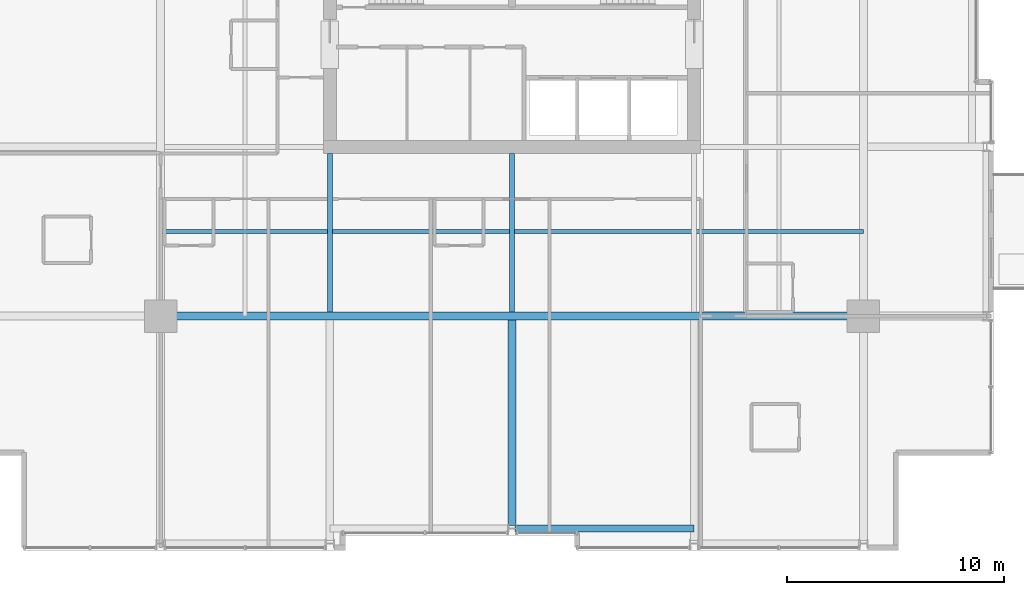
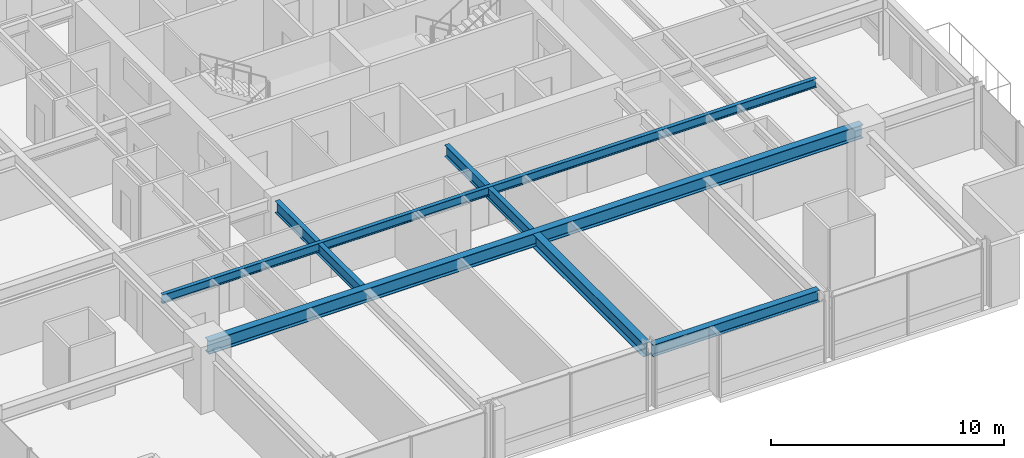
# One storey, part 6 of 33: 6 beams.
"""IFC4 building model written with IfcOpenShell, lengths in metres."""

import ifcopenshell
import ifcopenshell.guid

model = None  # the IFC model being written
_history = None  # IfcOwnerHistory: only IFC2X3 demands one
_inside = {}  # id of a spatial element -> (the spatial element, [elements in it])
_under = {}  # id of a project, library or spatial element -> (it, [spatial elements below it])
_declared = {}  # id of a project -> (the project, [libraries it declares])
_typed = {}  # id of a type object -> (the type object, [elements of that type])
_made_of = {}  # id of a material, layer set ... -> (it, [elements and type objects made of it])


def new_model(schema):
    """Start an empty IFC model of exactly this schema.

    Asked for "IFC4X3", IfcOpenShell would pick the latest addendum, in which some entities
    have other attributes; the version numbers below select the first issue.
    IFC2X3 requires an IfcOwnerHistory on every rooted entity: one is made here for all.
    """
    global model, _history
    if schema == "IFC4X3":
        model = ifcopenshell.file(schema_version=(4, 3, 0, 0))
    else:
        model = ifcopenshell.file(schema=schema)
    _inside.clear()
    _under.clear()
    _declared.clear()
    _typed.clear()
    _made_of.clear()
    _history = None
    if model.schema == "IFC2X3":
        org = make("IfcOrganization", Name="unknown")
        user = make(
            "IfcPersonAndOrganization",
            ThePerson=make("IfcPerson", FamilyName="unknown"),
            TheOrganization=org,
        )
        app = make(
            "IfcApplication",
            ApplicationDeveloper=org,
            Version="unknown",
            ApplicationFullName="unknown",
            ApplicationIdentifier="unknown",
        )
        _history = make(
            "IfcOwnerHistory",
            OwningUser=user,
            OwningApplication=app,
            ChangeAction="ADDED",
            CreationDate=0,
        )
    return model


def make(cls, **values):
    """One entity of the class cls with the attributes given. An attribute that is None is left unset."""
    return model.create_entity(
        cls, **{name: value for name, value in values.items() if value is not None}
    )


def rooted(cls, **values):
    """An entity with a GlobalId (a new one), such as an element, a storey or a relation."""
    return make(cls, GlobalId=ifcopenshell.guid.new(), OwnerHistory=_history, **values)


def si_unit(unit_type, name, prefix=None):
    """IfcSIUnit, for example si_unit("LENGTHUNIT", "METRE", prefix="MILLI")."""
    return make("IfcSIUnit", UnitType=unit_type, Prefix=prefix, Name=name)


def assignment(units):
    """IfcUnitAssignment: the units of a project."""
    return None if units is None else make("IfcUnitAssignment", Units=units)


def point(xyz):
    """IfcCartesianPoint."""
    return None if xyz is None else make("IfcCartesianPoint", Coordinates=xyz)


def direction(xyz):
    """IfcDirection."""
    return None if xyz is None else make("IfcDirection", DirectionRatios=xyz)


def frame(location, z_axis=None, x_axis=None):
    """IfcAxis2Placement3D, a coordinate frame: its origin and axes. An axis left out is left unset."""
    return make(
        "IfcAxis2Placement3D",
        Location=point(location),
        Axis=direction(z_axis),
        RefDirection=direction(x_axis),
    )


def frame_2d(location, x_axis=None):
    """IfcAxis2Placement2D, a coordinate frame in the plane: its origin and x axis."""
    return make(
        "IfcAxis2Placement2D", Location=point(location), RefDirection=direction(x_axis)
    )


def origin():
    """The frame at (0, 0, 0) with its axes left unset."""
    return frame((0.0, 0.0, 0.0))


def origin_2d():
    """The frame at (0, 0) in the plane with its x axis left unset."""
    return frame_2d((0.0, 0.0))


def place(relative_to, where):
    """IfcLocalPlacement: puts the frame where relative to a parent placement (None: the world)."""
    return make(
        "IfcLocalPlacement", PlacementRelTo=relative_to, RelativePlacement=where
    )


def context(
    kind, dimensions, precision=None, world=None, true_north=None, identifier=None
):
    """IfcGeometricRepresentationContext, for example the 3D "Model" context."""
    return make(
        "IfcGeometricRepresentationContext",
        ContextIdentifier=identifier,
        ContextType=kind,
        CoordinateSpaceDimension=dimensions,
        Precision=precision,
        WorldCoordinateSystem=world,
        TrueNorth=true_north,
    )


def subcontext(parent, identifier, kind, view, scale=None):
    """IfcGeometricRepresentationSubContext, for example "Body" below "Model"."""
    return make(
        "IfcGeometricRepresentationSubContext",
        ContextIdentifier=identifier,
        ContextType=kind,
        ParentContext=parent,
        TargetScale=scale,
        TargetView=view,
    )


def project(units=None, contexts=None):
    """IfcProject with its units and contexts."""
    return rooted(
        "IfcProject",
        Name="project",
        RepresentationContexts=contexts,
        UnitsInContext=assignment(units),
    )


def spatial(cls, under=None, at=None, **own):
    """A site, building, storey or space (cls), placed at a placement, below another one or the project."""
    s = rooted(cls, ObjectPlacement=at, **own)
    if under is not None:
        _under.setdefault(under.id(), (under, []))[1].append(s)
    return s


def profile(cls, at=None, kind="AREA", **sizes):
    """A parametric profile (cls). Its sizes go by their IFC names, for example OverallWidth=200.0."""
    return make(cls, ProfileType=kind, Position=at, **sizes)


def i_section(**sizes):
    """IfcIShapeProfileDef."""
    return profile("IfcIShapeProfileDef", **sizes)


def extrude(swept, where, along, depth):
    """IfcExtrudedAreaSolid: the profile swept, set in the frame where, extruded along a direction by depth."""
    return make(
        "IfcExtrudedAreaSolid",
        SweptArea=swept,
        Position=where,
        ExtrudedDirection=direction(along),
        Depth=depth,
    )


def shape(context_of_items, identifier, shape_type, items):
    """IfcShapeRepresentation: the items that make up one representation, for example the "Body"."""
    return make(
        "IfcShapeRepresentation",
        ContextOfItems=context_of_items,
        RepresentationIdentifier=identifier,
        RepresentationType=shape_type,
        Items=items,
    )


def material(Name=None, Category=None):
    """IfcMaterial."""
    return make("IfcMaterial", Name=Name, Category=Category)


def material_profile(
    of_material, cross_section, Name=None, Category=None, Priority=None
):
    """IfcMaterialProfile: a cross section and its material."""
    return make(
        "IfcMaterialProfile",
        Name=Name,
        Material=of_material,
        Profile=cross_section,
        Priority=Priority,
        Category=Category,
    )


def profile_set(profiles, Name=None, composite=None):
    """IfcMaterialProfileSet."""
    return make(
        "IfcMaterialProfileSet",
        Name=Name,
        MaterialProfiles=profiles,
        CompositeProfile=composite,
    )


def made_of(thing, what):
    """Note that an element or type object is made of a material, layer set ...; save() writes the relation."""
    if what is not None:
        _made_of.setdefault(what.id(), (what, []))[1].append(thing)
    return thing


def type_object(cls, material=None, **own):
    """A type object (cls), such as IfcWallType, which elements share."""
    return made_of(rooted(cls, **own), material)


def element(
    cls,
    number,
    at=None,
    inside=None,
    cuts=None,
    type_object=None,
    material=None,
    context=None,
    identifier="Body",
    shape_type=None,
    held_by="IfcProductDefinitionShape",
    body=None,
    shapes=None,
    **own,
):
    """One element of the class cls, such as IfcWall. Its Tag is "e" and its number.

    at: its placement. inside: the storey or other place that contains it. cuts: it is an
    opening in that element (IfcRelVoidsElement). A single representation is given by context,
    identifier, shape_type and body (its items); several are given by shapes. held_by: the class
    of the entity that holds the representations. save() writes the other relations.
    """
    e = rooted(cls, Tag="e%d" % number, ObjectPlacement=at, **own)
    if body is not None:
        shapes = [shape(context, identifier, shape_type, body)]
    if shapes is not None:
        e.Representation = make(held_by, Representations=shapes)
    if inside is not None:
        _inside.setdefault(inside.id(), (inside, []))[1].append(e)
    if cuts is not None:
        rooted(
            "IfcRelVoidsElement", RelatingBuildingElement=cuts, RelatedOpeningElement=e
        )
    if type_object is not None:
        _typed.setdefault(type_object.id(), (type_object, []))[1].append(e)
    return made_of(e, material)


def aggregate(whole, parts):
    """IfcRelAggregates: a whole, such as a stair, and the parts it consists of."""
    return rooted("IfcRelAggregates", RelatingObject=whole, RelatedObjects=parts)


def save(model, path):
    """Write the relations noted so far, then the file.

    IfcRelAggregates (storeys below a building ...), IfcRelContainedInSpatialStructure (elements
    in a storey), IfcRelDefinesByType, IfcRelAssociatesMaterial and IfcRelDeclares: one each for
    every whole, place, type object, material and project.
    """
    for whole, parts in _under.values():
        aggregate(whole, parts)
    for where, things in _inside.values():
        rooted(
            "IfcRelContainedInSpatialStructure",
            RelatedElements=things,
            RelatingStructure=where,
        )
    for kind, things in _typed.values():
        rooted("IfcRelDefinesByType", RelatedObjects=things, RelatingType=kind)
    for what, things in _made_of.values():
        rooted("IfcRelAssociatesMaterial", RelatedObjects=things, RelatingMaterial=what)
    for by, libraries in _declared.values():
        rooted("IfcRelDeclares", RelatingContext=by, RelatedDefinitions=libraries)
    model.write(path)


model = new_model("IFC4")

# Units and contexts
model_context = context("Model", 3, precision=1e-05, world=origin(), true_north=direction((0.0, 1.0)))
body_context = subcontext(model_context, "Body", "Model", "MODEL_VIEW")
ifc_project = project(units=[si_unit("LENGTHUNIT", "METRE"), si_unit("AREAUNIT", "SQUARE_METRE"), si_unit("VOLUMEUNIT", "CUBIC_METRE"), si_unit("PLANEANGLEUNIT", "RADIAN"), si_unit("MASSUNIT", "GRAM", prefix="KILO")], contexts=[model_context])

# Site, building, storey
site_placement = place(None, origin())
site = spatial("IfcSite", under=ifc_project, at=site_placement, CompositionType="ELEMENT")
building_placement = place(site_placement, origin())
building = spatial("IfcBuilding", under=site, at=building_placement, Name="Drelvath Grand Hotel", CompositionType="ELEMENT")
storey_placement = place(building_placement, frame((0.0, 0.0, 119.800048828125)))
storey = spatial("IfcBuildingStorey", under=building, at=storey_placement, Name="L30", CompositionType="ELEMENT", Elevation=119.800048828125)

# Beams
ifc_material = material(Name="Steel ASTM A992 Gr 50", Category="steel")
ifc_material_profile_1 = material_profile(ifc_material, i_section(OverallWidth=0.19140625, OverallDepth=0.4599609375, WebThickness=0.010009765625, FlangeThickness=0.01611328125, FilletRadius=0.01611328125, at=origin_2d()), Name="W18X55")
ifc_profile_set_1 = profile_set([ifc_material_profile_1], Name="Steel ASTM A992 Gr 50")
beam_type_1 = type_object("IfcBeamType", Name="Composite Floor Joist W18X55", PredefinedType="JOIST", material=ifc_profile_set_1)
beam_1_placement = place(storey_placement, frame((-16.199951171875, 14.699951171875, 3.010009765625), z_axis=(1.0, 0.0, 0.0), x_axis=(0.0, 1.0, 0.0)))
element("IfcBeam", 1, at=beam_1_placement, inside=storey, type_object=beam_type_1, Name="L30 Floor Joist J1", PredefinedType="JOIST", context=body_context, shape_type="SweptSolid", body=[
    extrude(i_section(OverallWidth=0.19140625, OverallDepth=0.4599609375, WebThickness=0.010009765625, FlangeThickness=0.01611328125, FilletRadius=0.01611328125, at=origin_2d()), origin(), (0.0, 0.0, 1.0), 32.39990234375),
])
ifc_material_profile_2 = material_profile(ifc_material, i_section(OverallWidth=0.323974609375, OverallDepth=0.611083984375, WebThickness=0.0126953125, FlangeThickness=0.01904296875, FilletRadius=0.02197265625, at=origin_2d()), Name="W24X104")
ifc_profile_set_2 = profile_set([ifc_material_profile_2], Name="Steel ASTM A992 Gr 50")
beam_type_2 = type_object("IfcBeamType", Name="Perimeter Spandrel Beam W24X104", PredefinedType="SPANDREL", material=ifc_profile_set_2)
beam_2_placement = place(storey_placement, frame((0.139892578125, 1.0, 2.9345703125), z_axis=(1.0, 0.0, 0.0), x_axis=(0.0, 1.0, 0.0)))
element("IfcBeam", 2, at=beam_2_placement, inside=storey, type_object=beam_type_2, Name="L30 Spandrel South Mid E", PredefinedType="SPANDREL", context=body_context, shape_type="SweptSolid", body=[
    extrude(i_section(OverallWidth=0.323974609375, OverallDepth=0.611083984375, WebThickness=0.0126953125, FlangeThickness=0.01904296875, FilletRadius=0.02197265625, at=origin_2d()), origin(), (0.0, 0.0, 1.0), 8.260009765625),
])
ifc_material_profile_3 = material_profile(ifc_material, i_section(OverallWidth=0.228271484375, OverallDepth=0.607666015625, WebThickness=0.01123046875, FlangeThickness=0.017333984375, FilletRadius=0.02001953125, at=origin_2d()), Name="W24X76")
ifc_profile_set_3 = profile_set([ifc_material_profile_3], Name="Steel ASTM A992 Gr 50")
beam_type_3 = type_object("IfcBeamType", Name="Primary Floor Girder W24X76", PredefinedType="BEAM", material=ifc_profile_set_3)
for number, where, z_axis, x_axis, name in (
    (3, (-8.39990234375, 10.977294921875, 2.93603515625), (0.0, 1.0, 0.0), (-1.0, 0.0, 0.0), "L30 South Core Tie 4"),
    (4, (0.0, 10.977294921875, 2.93603515625), (0.0, 1.0, 0.0), (-1.0, 0.0, 0.0), "L30 South Core Tie 5"),
):
    element("IfcBeam", number, at=place(storey_placement, frame(where, z_axis=z_axis, x_axis=x_axis)), inside=storey, type_object=beam_type_3, Name=name, PredefinedType="BEAM", context=body_context, shape_type="SweptSolid", body=[
        extrude(i_section(OverallWidth=0.228271484375, OverallDepth=0.607666015625, WebThickness=0.01123046875, FlangeThickness=0.017333984375, FilletRadius=0.02001953125, at=origin_2d()), origin(), (0.0, 0.0, 1.0), 7.32275390625),
    ])
ifc_material_profile_4 = material_profile(ifc_material, i_section(OverallWidth=0.354736328125, OverallDepth=0.695556640625, WebThickness=0.015380859375, FlangeThickness=0.025146484375, FilletRadius=0.02392578125, at=origin_2d()), Name="W27X146")
ifc_profile_set_4 = profile_set([ifc_material_profile_4], Name="Steel ASTM A992 Gr 50")
beam_type_4 = type_object("IfcBeamType", Name="Primary Floor Girder W27X146", PredefinedType="BEAM", material=ifc_profile_set_4)
beam_3_placement = place(storey_placement, frame((-16.199951171875, 10.800048828125, 2.892333984375), z_axis=(1.0, 0.0, 0.0), x_axis=(0.0, 1.0, 0.0)))
element("IfcBeam", 5, at=beam_3_placement, inside=storey, type_object=beam_type_4, Name="L30 Mega Ring Girder South", PredefinedType="BEAM", context=body_context, shape_type="SweptSolid", body=[
    extrude(i_section(OverallWidth=0.354736328125, OverallDepth=0.695556640625, WebThickness=0.015380859375, FlangeThickness=0.025146484375, FilletRadius=0.02392578125, at=origin_2d()), origin(), (0.0, 0.0, 1.0), 32.39990234375),
])
beam_4_placement = place(storey_placement, frame((0.0, 1.139892578125, 2.892333984375), z_axis=(0.0, 1.0, 0.0), x_axis=(-1.0, 0.0, 0.0)))
element("IfcBeam", 6, at=beam_4_placement, inside=storey, type_object=beam_type_4, Name="L30 South Wing Girder 5", PredefinedType="BEAM", context=body_context, shape_type="SweptSolid", body=[
    extrude(i_section(OverallWidth=0.354736328125, OverallDepth=0.695556640625, WebThickness=0.015380859375, FlangeThickness=0.025146484375, FilletRadius=0.02392578125, at=origin_2d()), origin(), (0.0, 0.0, 1.0), 9.482666015625),
])

save(model, "model.ifc")
